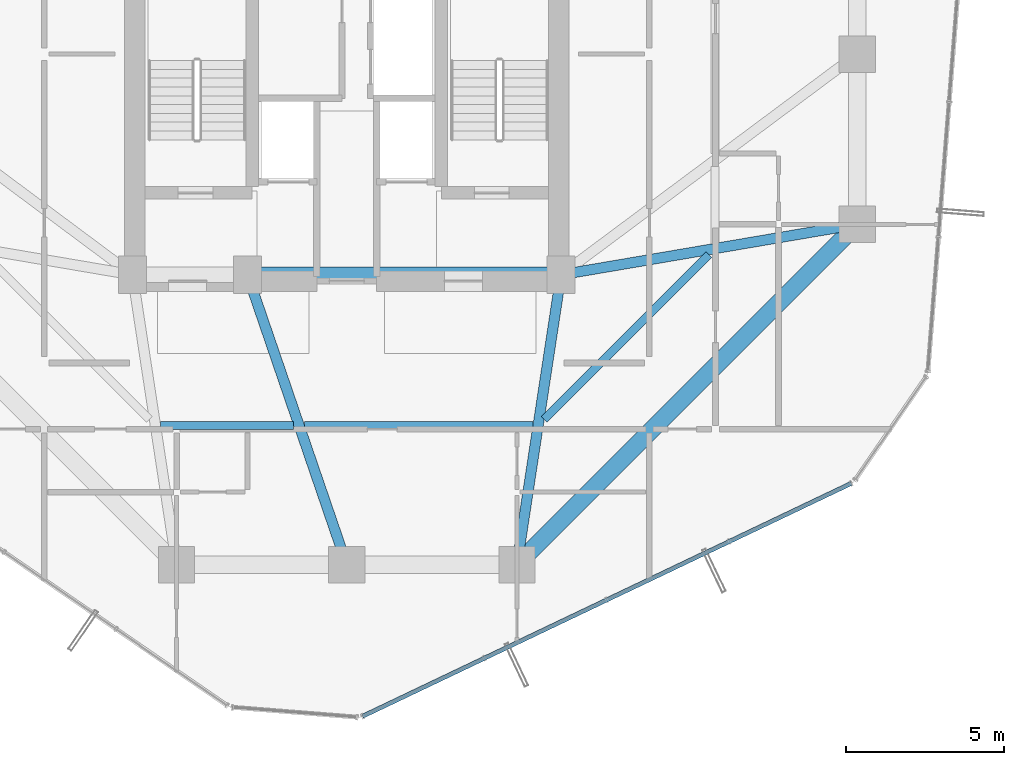
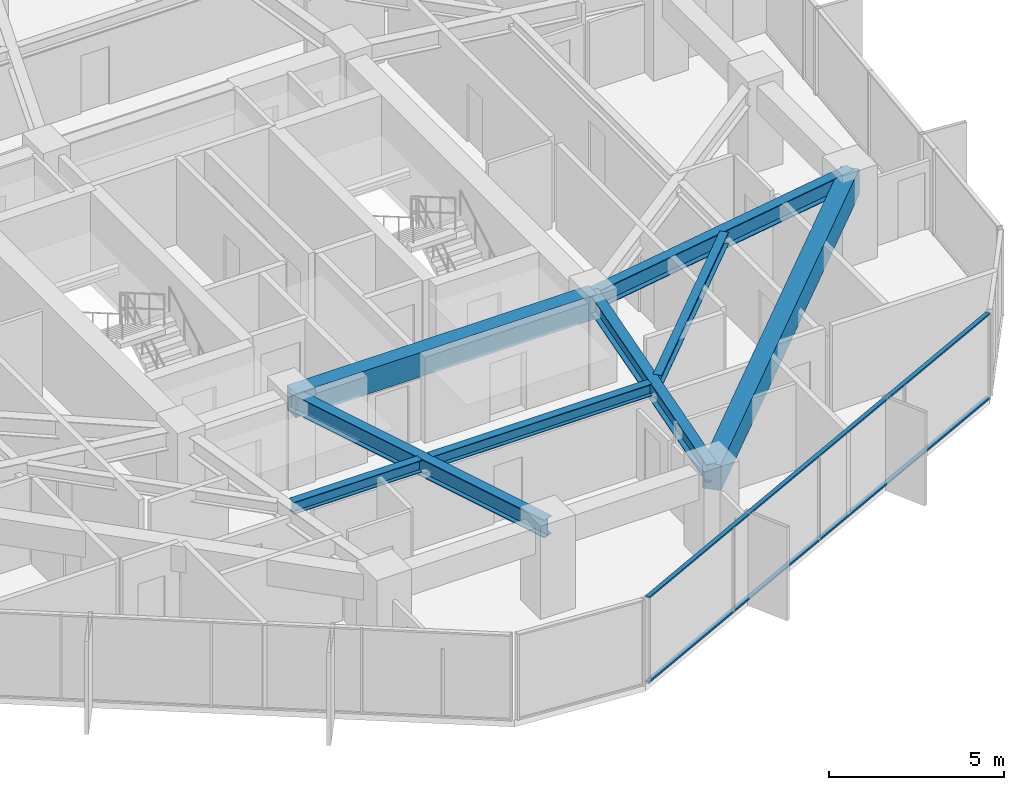
# One storey, part 7 of 30: 8 beams, 2 members, 1 element without a shape of its own.
"""IFC4 building model written with IfcOpenShell, lengths in metres."""

from ifc_helpers import new_model, si_unit, direction, frame, origin, origin_2d, place, context, subcontext, project, spatial, rectangle, hollow_rectangle, i_section, extrude, source, transform, mapped, material, layer, layer_set, material_profile, profile_set, type_object, element, aggregate, save


model = new_model("IFC4")

# Units and contexts
model_context = context("Model", 3, precision=1e-05, world=origin(), true_north=direction((0.0, 1.0)))
body_context = subcontext(model_context, "Body", "Model", "MODEL_VIEW")
ifc_project = project(units=[si_unit("LENGTHUNIT", "METRE"), si_unit("AREAUNIT", "SQUARE_METRE"), si_unit("VOLUMEUNIT", "CUBIC_METRE"), si_unit("PLANEANGLEUNIT", "RADIAN"), si_unit("MASSUNIT", "GRAM", prefix="KILO")], contexts=[model_context])

# Site, building, storey
site_placement = place(None, origin())
site = spatial("IfcSite", under=ifc_project, at=site_placement, CompositionType="ELEMENT")
building_placement = place(site_placement, origin())
building = spatial("IfcBuilding", under=site, at=building_placement, Name="Veraguas Prism Commons", CompositionType="ELEMENT")
storey_placement = place(building_placement, frame((0.0, 0.0, 113.25)))
storey = spatial("IfcBuildingStorey", under=building, at=storey_placement, Name="L31", CompositionType="ELEMENT", Elevation=113.25)

# Beams
ifc_material_1 = material(Name="Concrete C50/60", Category="concrete")
ifc_material_profile_1 = material_profile(ifc_material_1, rectangle(XDim=0.5, YDim=0.85009765625, at=origin_2d()), Name="RC500X850")
ifc_profile_set_1 = profile_set([ifc_material_profile_1], Name="Concrete C50/60")
beam_type_1 = type_object("IfcBeamType", Name="Core Coupling Beam RC 500x850", PredefinedType="BEAM", material=ifc_profile_set_1)
beam_1_placement = place(storey_placement, frame((20.85009765625, 17.0, 2.574951171875), z_axis=(1.0, 0.0, 0.0), x_axis=(0.0, 1.0, 0.0)))
element("IfcBeam", 1, at=beam_1_placement, inside=storey, type_object=beam_type_1, Name="Core Coupling Beam L31-CRS2", PredefinedType="BEAM", context=body_context, shape_type="SweptSolid", body=[
    extrude(rectangle(XDim=0.5, YDim=0.85009765625, at=origin_2d()), origin(), (0.0, 0.0, 1.0), 9.949951171875),
])
ifc_material_2 = material(Name="Steel ASTM A992 Grade 50", Category="steel")
ifc_material_profile_2 = material_profile(ifc_material_2, i_section(OverallWidth=0.260986328125, OverallDepth=0.419921875, WebThickness=0.01171875, FlangeThickness=0.019287109375, at=origin_2d()), Name="W410X114")
ifc_profile_set_2 = profile_set([ifc_material_profile_2], Name="Steel ASTM A992 Grade 50")
beam_type_2 = type_object("IfcBeamType", Name="Lower Floor Joist W410x114", PredefinedType="JOIST", material=ifc_profile_set_2)
beam_2_placement = place(storey_placement, frame((18.091796875, 12.216064453125, 2.7900390625), z_axis=(1.0, 0.0, 0.0), x_axis=(0.0, 1.0, 0.0)))
element("IfcBeam", 2, at=beam_2_placement, inside=storey, type_object=beam_type_2, Name="Composite Floor Joist L31-JS10", PredefinedType="JOIST", context=body_context, shape_type="SweptSolid", body=[
    extrude(i_section(OverallWidth=0.260986328125, OverallDepth=0.419921875, WebThickness=0.01171875, FlangeThickness=0.019287109375, at=origin_2d()), origin(), (0.0, 0.0, 1.0), 4.22509765625),
])
beam_3_placement = place(storey_placement, frame((22.6591796875, 12.216064453125, 2.7900390625), z_axis=(1.0, 0.0, 0.0), x_axis=(0.0, 1.0, 0.0)))
element("IfcBeam", 3, at=beam_3_placement, inside=storey, type_object=beam_type_2, Name="Composite Floor Joist L31-JS11", PredefinedType="JOIST", context=body_context, shape_type="SweptSolid", body=[
    extrude(i_section(OverallWidth=0.260986328125, OverallDepth=0.419921875, WebThickness=0.01171875, FlangeThickness=0.019287109375, at=origin_2d()), origin(), (0.0, 0.0, 1.0), 7.2490234375),
])
beam_4_placement = place(storey_placement, frame((30.265380859375, 12.4091796875, 2.7900390625), z_axis=(0.707090260193, 0.707123301794, 0.0), x_axis=(-0.707123301794, 0.707090260193, 0.0)))
element("IfcBeam", 4, at=beam_4_placement, inside=storey, type_object=beam_type_2, Name="Composite Floor Joist L31-JS12", PredefinedType="JOIST", context=body_context, shape_type="SweptSolid", body=[
    extrude(i_section(OverallWidth=0.260986328125, OverallDepth=0.419921875, WebThickness=0.01171875, FlangeThickness=0.019287109375, at=origin_2d()), origin(), (0.0, 0.0, 1.0), 7.388916015625),
])
ifc_material_profile_3 = material_profile(ifc_material_1, rectangle(XDim=0.550048828125, YDim=0.89990234375, at=origin_2d()), Name="RC550X900")
ifc_profile_set_3 = profile_set([ifc_material_profile_3], Name="Concrete C50/60")
beam_type_3 = type_object("IfcBeamType", Name="Perimeter Spandrel Lower RC 550x900", PredefinedType="SPANDREL", material=ifc_profile_set_3)
beam_5_placement = place(storey_placement, frame((29.39990234375, 7.800048828125, 2.550048828125), z_axis=(0.707106781187, 0.707106781187, 0.0), x_axis=(-0.707106781187, 0.707106781187, 0.0)))
element("IfcBeam", 5, at=beam_5_placement, inside=storey, type_object=beam_type_3, Name="Perimeter Spandrel Beam L31-SP12", PredefinedType="SPANDREL", context=body_context, shape_type="SweptSolid", body=[
    extrude(rectangle(XDim=0.550048828125, YDim=0.89990234375, at=origin_2d()), origin(), (0.0, 0.0, 1.0), 15.273681640625),
])
ifc_material_profile_4 = material_profile(ifc_material_2, i_section(OverallWidth=0.327880859375, OverallDepth=0.6220703125, WebThickness=0.015380859375, FlangeThickness=0.0244140625, at=origin_2d()), Name="W610X195")
ifc_profile_set_4 = profile_set([ifc_material_profile_4], Name="Steel ASTM A992 Grade 50")
beam_type_4 = type_object("IfcBeamType", Name="Zone 2 Radial Girder W610x195", PredefinedType="BEAM", material=ifc_profile_set_4)
beam_6_placement = place(storey_placement, frame((40.199951171875, 18.60009765625, 2.68896484375), z_axis=(-0.985819187151, -0.1678109956, 0.0), x_axis=(0.1678109956, -0.985819187151, 0.0)))
element("IfcBeam", 6, at=beam_6_placement, inside=storey, type_object=beam_type_4, Name="Radial Floor Girder L31-RD01", PredefinedType="BEAM", context=body_context, shape_type="SweptSolid", body=[
    extrude(i_section(OverallWidth=0.327880859375, OverallDepth=0.6220703125, WebThickness=0.015380859375, FlangeThickness=0.0244140625, at=origin_2d()), origin(), (0.0, 0.0, 1.0), 9.53515625),
])
beam_7_placement = place(storey_placement, frame((24.0, 7.800048828125, 2.68896484375), z_axis=(-0.323922482989, 0.946083624747, 0.0), x_axis=(-0.946083624747, -0.323922482989, 0.0)))
element("IfcBeam", 7, at=beam_7_placement, inside=storey, type_object=beam_type_4, Name="Radial Floor Girder L31-RD11", PredefinedType="BEAM", context=body_context, shape_type="SweptSolid", body=[
    extrude(i_section(OverallWidth=0.327880859375, OverallDepth=0.6220703125, WebThickness=0.015380859375, FlangeThickness=0.0244140625, at=origin_2d()), origin(), (0.0, 0.0, 1.0), 9.724365234375),
])
beam_8_placement = place(storey_placement, frame((29.39990234375, 7.800048828125, 2.68896484375), z_axis=(0.150458162136, 0.98861637729, 0.0), x_axis=(-0.98861637729, 0.150458162136, 0.0)))
element("IfcBeam", 8, at=beam_8_placement, inside=storey, type_object=beam_type_4, Name="Radial Floor Girder L31-RD12", PredefinedType="BEAM", context=body_context, shape_type="SweptSolid", body=[
    extrude(i_section(OverallWidth=0.327880859375, OverallDepth=0.6220703125, WebThickness=0.015380859375, FlangeThickness=0.0244140625, at=origin_2d()), origin(), (0.0, 0.0, 1.0), 9.305908203125),
])

# Curtain wall, members
ifc_material_3 = material(Name="Anodised aluminium EN AW-6063 T6", Category="aluminium")
ifc_layer = layer(ifc_material_3, 0.169921875, Name="Unitised Flush Curtain Wall Zone 2", Category="aluminium")
ifc_layer_set = layer_set([ifc_layer], Name="Anodised aluminium EN AW-6063 T6")
curtain_wall_type = type_object("IfcCurtainWallType", Name="Unitised Flush Curtain Wall Zone 2", PredefinedType="NOTDEFINED", material=ifc_layer_set)
curtain_wall_placement = place(storey_placement, origin())
curtain_wall = element("IfcCurtainWall", 9, at=curtain_wall_placement, inside=storey, type_object=curtain_wall_type, Name="Tower Facade Curtain Wall L31-F5", PredefinedType="NOTDEFINED")
ifc_material_profile_5 = material_profile(ifc_material_3, hollow_rectangle(XDim=0.054931640625, YDim=0.135009765625, WallThickness=0.0029296875, at=origin_2d()), Name="AL55X135X3")
ifc_profile_set_5 = profile_set([ifc_material_profile_5], Name="Anodised aluminium EN AW-6063 T6")
member_type = type_object("IfcMemberType", Name="Curtain Wall Transom Standard AL 55x135x3", PredefinedType="USERDEFINED", material=ifc_profile_set_5)
shared_shape = source(origin(), body_context, "Body", "SweptSolid", [
    extrude(hollow_rectangle(XDim=0.054931640625, YDim=0.135009765625, WallThickness=0.0029296875, at=origin_2d()), origin(), (0.0, 0.0, 1.0), 17.17431640625),
])
member_1_placement = place(storey_placement, frame((24.500244140625, 2.989013671875, 0.027587890625), z_axis=(0.902733565825, 0.43020008035, 0.0), x_axis=(0.0, 0.0, 1.0)))
member_1 = element("IfcMember", 10, at=member_1_placement, type_object=member_type, Name="CW-Z2 Transom 1", ObjectType="TRANSOM", PredefinedType="USERDEFINED", context=body_context, shape_type="MappedRepresentation", body=[
    mapped(shared_shape, transform((0.0, 0.0, 0.0), scale=1.0)),
])
member_2_placement = place(storey_placement, frame((24.500244140625, 2.989013671875, 2.972412109375), z_axis=(0.902733565825, 0.43020008035, 0.0), x_axis=(0.0, 0.0, 1.0)))
member_2 = element("IfcMember", 11, at=member_2_placement, type_object=member_type, Name="CW-Z2 Transom 2", ObjectType="TRANSOM", PredefinedType="USERDEFINED", context=body_context, shape_type="MappedRepresentation", body=[
    mapped(shared_shape, transform((0.0, 0.0, 0.0), scale=1.0)),
])
aggregate(curtain_wall, [member_1, member_2])

save(model, "model.ifc")
